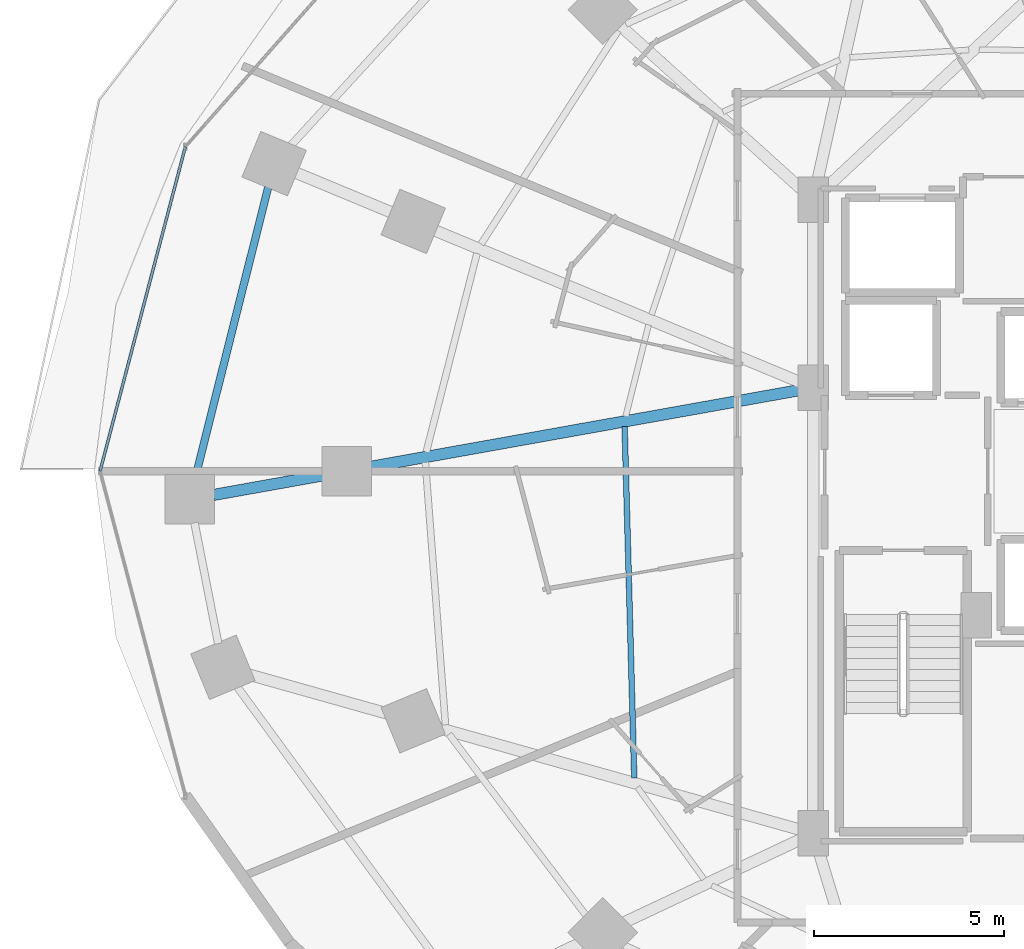
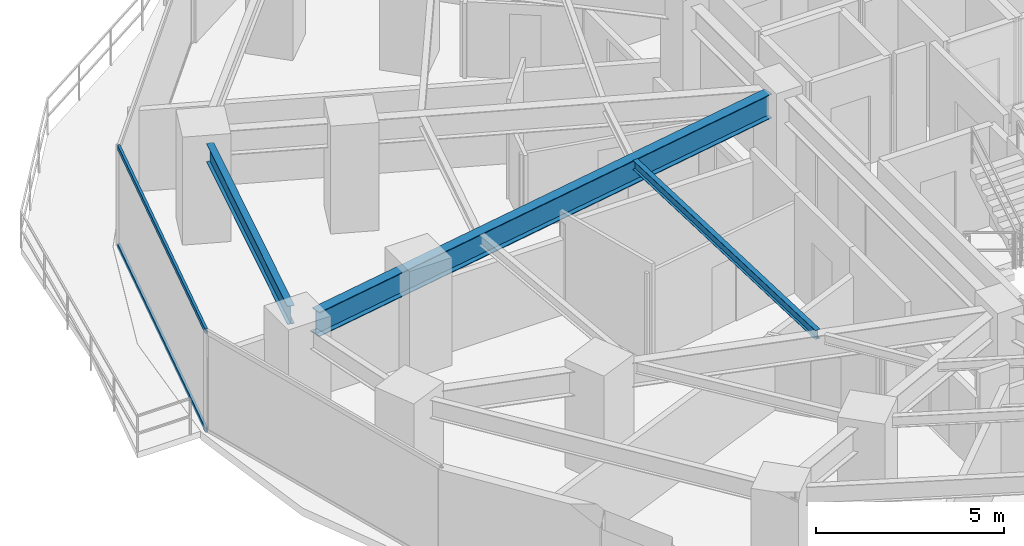
# One storey, part 9 of 34: 3 beams, 2 members, 1 element without a shape of its own.
"""IFC4 building model written with IfcOpenShell, lengths in metres."""

from ifc_helpers import new_model, si_unit, direction, frame, origin, origin_2d, place, context, subcontext, project, spatial, hollow_rectangle, i_section, extrude, material, material_profile, profile_set, type_object, element, aggregate, save


model = new_model("IFC4")

# Units and contexts
model_context = context("Model", 3, precision=1e-05, world=origin(), true_north=direction((0.0, 1.0)))
body_context = subcontext(model_context, "Body", "Model", "MODEL_VIEW")
ifc_project = project(units=[si_unit("LENGTHUNIT", "METRE"), si_unit("AREAUNIT", "SQUARE_METRE"), si_unit("VOLUMEUNIT", "CUBIC_METRE"), si_unit("PLANEANGLEUNIT", "RADIAN"), si_unit("MASSUNIT", "GRAM", prefix="KILO")], contexts=[model_context])

# Site, building, storey
site_placement = place(None, origin())
site = spatial("IfcSite", under=ifc_project, at=site_placement, CompositionType="ELEMENT")
building_placement = place(site_placement, origin())
building = spatial("IfcBuilding", under=site, at=building_placement, Name="Vorneva Point Tower", CompositionType="ELEMENT")
storey_placement = place(building_placement, frame((0.0, 0.0, 27.5)))
storey = spatial("IfcBuildingStorey", under=building, at=storey_placement, Name="L06", CompositionType="ELEMENT", Elevation=27.5)

# Beams
ifc_material_1 = material(Name="Steel S355", Category="steel")
ifc_material_profile_1 = material_profile(ifc_material_1, i_section(OverallWidth=0.300048828125, OverallDepth=0.7880859375, WebThickness=0.014404296875, FlangeThickness=0.02197265625, at=origin_2d()), Name="80Sh1")
ifc_profile_set_1 = profile_set([ifc_material_profile_1], Name="Steel S355")
beam_type_1 = type_object("IfcBeamType", Name="BM-GRD-80Sh1", PredefinedType="USERDEFINED", material=ifc_profile_set_1)
beam_1_placement = place(storey_placement, frame((11.44580078125, 25.373291015625, 2.845947265625), z_axis=(0.984378664832, 0.176064318428, 0.0), x_axis=(-0.176064318428, 0.984378664832, 0.0)))
element("IfcBeam", 1, at=beam_1_placement, inside=storey, type_object=beam_type_1, Name="L06 Radial Primary Girder 09", ObjectType="GIRDER", PredefinedType="USERDEFINED", context=body_context, shape_type="SweptSolid", body=[
    extrude(i_section(OverallWidth=0.300048828125, OverallDepth=0.7880859375, WebThickness=0.014404296875, FlangeThickness=0.02197265625, at=origin_2d()), origin(), (0.0, 0.0, 1.0), 15.715087890625),
])
ifc_material_profile_2 = material_profile(ifc_material_1, i_section(OverallWidth=0.14892578125, OverallDepth=0.298095703125, WebThickness=0.005615234375, FlangeThickness=0.008056640625, at=origin_2d()), Name="30B1")
ifc_profile_set_2 = profile_set([ifc_material_profile_2], Name="Steel S355")
beam_type_2 = type_object("IfcBeamType", Name="BM-JST-30B1", PredefinedType="JOIST", material=ifc_profile_set_2)
beam_2_placement = place(storey_placement, frame((22.2783203125, 27.172119140625, 3.091064453125), z_axis=(0.027469258155, -0.999622648731, 0.0), x_axis=(0.999622648731, 0.027469258155, 0.0)))
element("IfcBeam", 2, at=beam_2_placement, inside=storey, type_object=beam_type_2, Name="L06 Secondary Floor Beam 2.09", PredefinedType="JOIST", context=body_context, shape_type="SweptSolid", body=[
    extrude(i_section(OverallWidth=0.14892578125, OverallDepth=0.298095703125, WebThickness=0.005615234375, FlangeThickness=0.008056640625, at=origin_2d()), origin(), (0.0, 0.0, 1.0), 9.260986328125),
])
ifc_material_profile_3 = material_profile(ifc_material_1, i_section(OverallWidth=0.198974609375, OverallDepth=0.595947265625, WebThickness=0.010009765625, FlangeThickness=0.014892578125, at=origin_2d()), Name="60B1")
ifc_profile_set_3 = profile_set([ifc_material_profile_3], Name="Steel S355")
beam_type_3 = type_object("IfcBeamType", Name="BM-SPN-60B1", PredefinedType="SPANDREL", material=ifc_profile_set_3)
beam_3_placement = place(storey_placement, frame((12.884521484375, 33.489501953125, 2.94189453125), z_axis=(-0.243574722416, -0.969882134385, 0.0), x_axis=(0.969882134385, -0.243574722416, 0.0)))
element("IfcBeam", 3, at=beam_3_placement, inside=storey, type_object=beam_type_3, Name="L06 Perimeter Spandrel Ring Beam 08", PredefinedType="SPANDREL", context=body_context, shape_type="SweptSolid", body=[
    extrude(i_section(OverallWidth=0.198974609375, OverallDepth=0.595947265625, WebThickness=0.010009765625, FlangeThickness=0.014892578125, at=origin_2d()), origin(), (0.0, 0.0, 1.0), 7.84912109375),
])

# Curtain wall, members
ifc_material_2 = material(Name="Pale anodised aluminium", Category="aluminium")
curtain_wall_type = type_object("IfcCurtainWallType", Name="CW-HTL-SYS", PredefinedType="NOTDEFINED", material=ifc_material_2)
curtain_wall_placement = place(storey_placement, origin())
curtain_wall = element("IfcCurtainWall", 4, at=curtain_wall_placement, inside=storey, type_object=curtain_wall_type, Name="L06 Unitised Curtain Wall CW-L06-R03", PredefinedType="NOTDEFINED")
ifc_material_profile_4 = material_profile(ifc_material_2, hollow_rectangle(XDim=0.074951171875, YDim=0.14990234375, WallThickness=0.00390625, at=origin_2d()), Name="AL-TRN 150x75x4")
ifc_profile_set_4 = profile_set([ifc_material_profile_4], Name="Pale anodised aluminium")
member_type = type_object("IfcMemberType", Name="CW-TRN-150", PredefinedType="USERDEFINED", material=ifc_profile_set_4)
member_1_placement = place(storey_placement, frame((10.699462890625, 34.552978515625, 0.02001953125), z_axis=(-0.254358772746, -0.967109928978, 0.0), x_axis=(0.967109928978, -0.254358772746, 0.0)))
member_1 = element("IfcMember", 5, at=member_1_placement, type_object=member_type, Name="CW-L06-R03 Transom 02.1", ObjectType="TRANSOM", PredefinedType="USERDEFINED", context=body_context, shape_type="SweptSolid", body=[
    extrude(hollow_rectangle(XDim=0.074951171875, YDim=0.14990234375, WallThickness=0.00390625, at=origin_2d()), origin(), (0.0, 0.0, 1.0), 8.84375),
])
member_2_placement = place(storey_placement, frame((10.699462890625, 34.552978515625, 3.219970703125), z_axis=(-0.254358772746, -0.967109928978, 0.0), x_axis=(0.967109928978, -0.254358772746, 0.0)))
member_2 = element("IfcMember", 6, at=member_2_placement, type_object=member_type, Name="CW-L06-R03 Transom 02.2", ObjectType="TRANSOM", PredefinedType="USERDEFINED", context=body_context, shape_type="SweptSolid", body=[
    extrude(hollow_rectangle(XDim=0.074951171875, YDim=0.14990234375, WallThickness=0.00390625, at=origin_2d()), origin(), (0.0, 0.0, 1.0), 8.84375),
])
aggregate(curtain_wall, [member_1, member_2])

save(model, "model.ifc")
